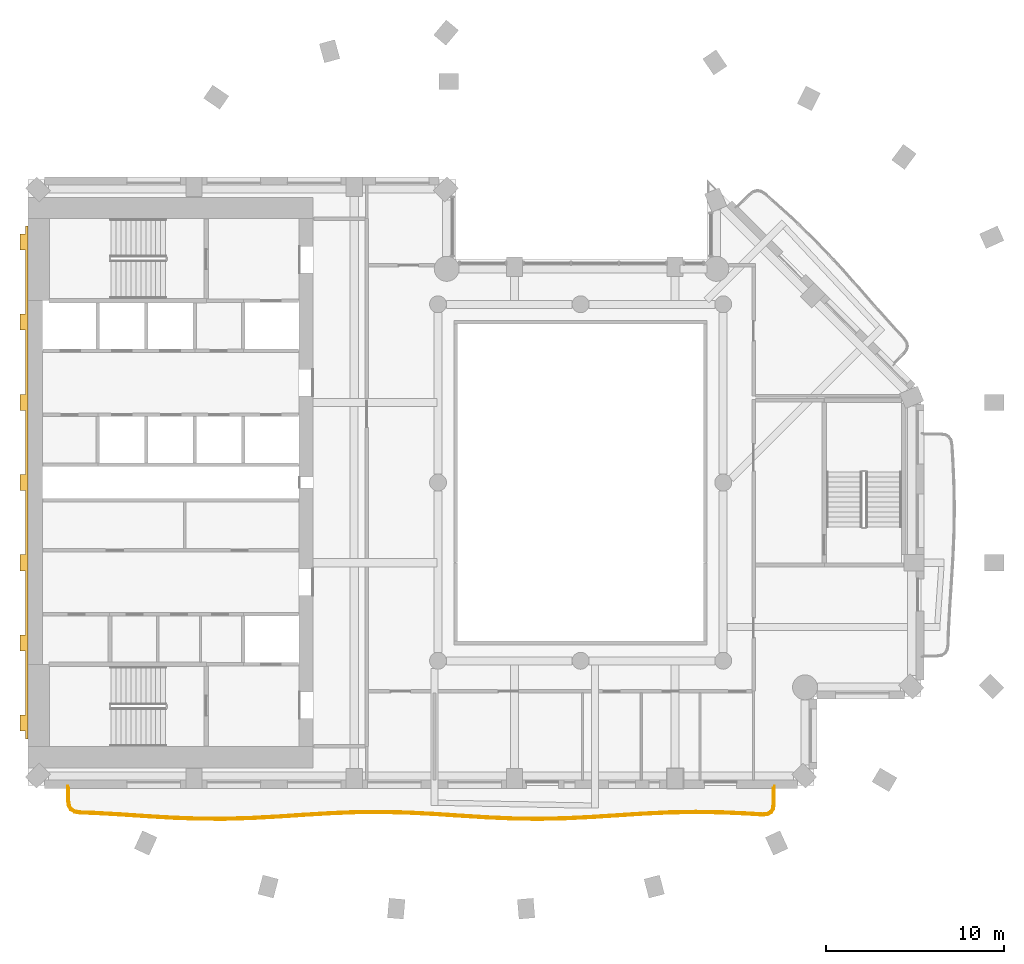
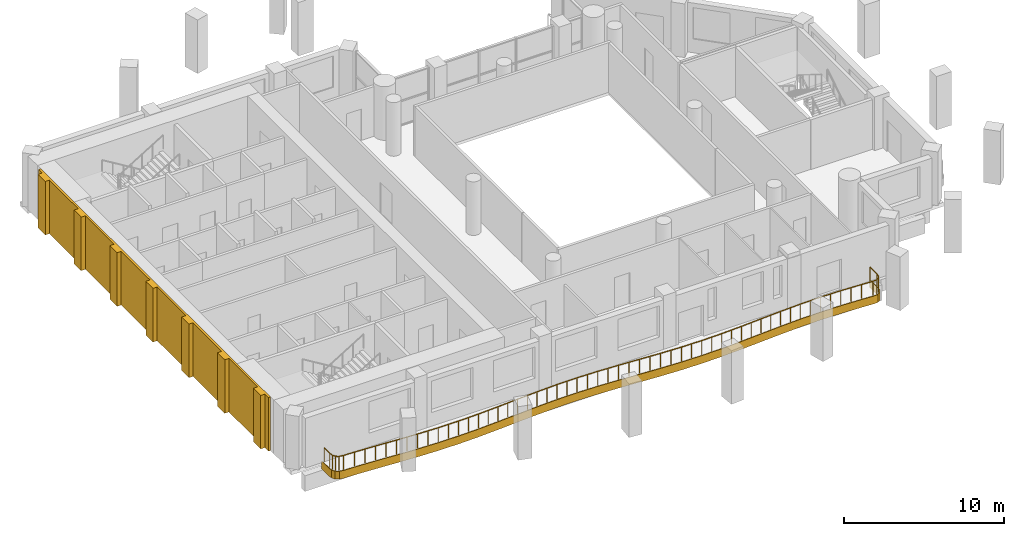
# One storey, part 10 of 13: 2 coverings, 1 railing.
"""IFC4 building model written with IfcOpenShell, lengths in metres."""

import ifcopenshell
import ifcopenshell.guid

model = None  # the IFC model being written
_history = None  # IfcOwnerHistory: only IFC2X3 demands one
_inside = {}  # id of a spatial element -> (the spatial element, [elements in it])
_under = {}  # id of a project, library or spatial element -> (it, [spatial elements below it])
_declared = {}  # id of a project -> (the project, [libraries it declares])
_typed = {}  # id of a type object -> (the type object, [elements of that type])
_made_of = {}  # id of a material, layer set ... -> (it, [elements and type objects made of it])


def new_model(schema):
    """Start an empty IFC model of exactly this schema.

    Asked for "IFC4X3", IfcOpenShell would pick the latest addendum, in which some entities
    have other attributes; the version numbers below select the first issue.
    IFC2X3 requires an IfcOwnerHistory on every rooted entity: one is made here for all.
    """
    global model, _history
    if schema == "IFC4X3":
        model = ifcopenshell.file(schema_version=(4, 3, 0, 0))
    else:
        model = ifcopenshell.file(schema=schema)
    _inside.clear()
    _under.clear()
    _declared.clear()
    _typed.clear()
    _made_of.clear()
    _history = None
    if model.schema == "IFC2X3":
        org = make("IfcOrganization", Name="unknown")
        user = make(
            "IfcPersonAndOrganization",
            ThePerson=make("IfcPerson", FamilyName="unknown"),
            TheOrganization=org,
        )
        app = make(
            "IfcApplication",
            ApplicationDeveloper=org,
            Version="unknown",
            ApplicationFullName="unknown",
            ApplicationIdentifier="unknown",
        )
        _history = make(
            "IfcOwnerHistory",
            OwningUser=user,
            OwningApplication=app,
            ChangeAction="ADDED",
            CreationDate=0,
        )
    return model


def make(cls, **values):
    """One entity of the class cls with the attributes given. An attribute that is None is left unset."""
    return model.create_entity(
        cls, **{name: value for name, value in values.items() if value is not None}
    )


def rooted(cls, **values):
    """An entity with a GlobalId (a new one), such as an element, a storey or a relation."""
    return make(cls, GlobalId=ifcopenshell.guid.new(), OwnerHistory=_history, **values)


def si_unit(unit_type, name, prefix=None):
    """IfcSIUnit, for example si_unit("LENGTHUNIT", "METRE", prefix="MILLI")."""
    return make("IfcSIUnit", UnitType=unit_type, Prefix=prefix, Name=name)


def assignment(units):
    """IfcUnitAssignment: the units of a project."""
    return None if units is None else make("IfcUnitAssignment", Units=units)


def point(xyz):
    """IfcCartesianPoint."""
    return None if xyz is None else make("IfcCartesianPoint", Coordinates=xyz)


def direction(xyz):
    """IfcDirection."""
    return None if xyz is None else make("IfcDirection", DirectionRatios=xyz)


def frame(location, z_axis=None, x_axis=None):
    """IfcAxis2Placement3D, a coordinate frame: its origin and axes. An axis left out is left unset."""
    return make(
        "IfcAxis2Placement3D",
        Location=point(location),
        Axis=direction(z_axis),
        RefDirection=direction(x_axis),
    )


def frame_2d(location, x_axis=None):
    """IfcAxis2Placement2D, a coordinate frame in the plane: its origin and x axis."""
    return make(
        "IfcAxis2Placement2D", Location=point(location), RefDirection=direction(x_axis)
    )


def origin():
    """The frame at (0, 0, 0) with its axes left unset."""
    return frame((0.0, 0.0, 0.0))


def origin_2d():
    """The frame at (0, 0) in the plane with its x axis left unset."""
    return frame_2d((0.0, 0.0))


def place(relative_to, where):
    """IfcLocalPlacement: puts the frame where relative to a parent placement (None: the world)."""
    return make(
        "IfcLocalPlacement", PlacementRelTo=relative_to, RelativePlacement=where
    )


def context(
    kind, dimensions, precision=None, world=None, true_north=None, identifier=None
):
    """IfcGeometricRepresentationContext, for example the 3D "Model" context."""
    return make(
        "IfcGeometricRepresentationContext",
        ContextIdentifier=identifier,
        ContextType=kind,
        CoordinateSpaceDimension=dimensions,
        Precision=precision,
        WorldCoordinateSystem=world,
        TrueNorth=true_north,
    )


def subcontext(parent, identifier, kind, view, scale=None):
    """IfcGeometricRepresentationSubContext, for example "Body" below "Model"."""
    return make(
        "IfcGeometricRepresentationSubContext",
        ContextIdentifier=identifier,
        ContextType=kind,
        ParentContext=parent,
        TargetScale=scale,
        TargetView=view,
    )


def project(units=None, contexts=None):
    """IfcProject with its units and contexts."""
    return rooted(
        "IfcProject",
        Name="project",
        RepresentationContexts=contexts,
        UnitsInContext=assignment(units),
    )


def spatial(cls, under=None, at=None, **own):
    """A site, building, storey or space (cls), placed at a placement, below another one or the project."""
    s = rooted(cls, ObjectPlacement=at, **own)
    if under is not None:
        _under.setdefault(under.id(), (under, []))[1].append(s)
    return s


def polyline(points):
    """IfcPolyline through the points."""
    return make("IfcPolyline", Points=[point(p) for p in points])


def profile(cls, at=None, kind="AREA", **sizes):
    """A parametric profile (cls). Its sizes go by their IFC names, for example OverallWidth=200.0."""
    return make(cls, ProfileType=kind, Position=at, **sizes)


def rectangle(**sizes):
    """IfcRectangleProfileDef."""
    return profile("IfcRectangleProfileDef", **sizes)


def outline(outer, holes=None, kind="AREA"):
    """IfcArbitraryClosedProfileDef: a profile drawn as a closed curve; with holes, ...WithVoids."""
    if holes is None:
        return make("IfcArbitraryClosedProfileDef", ProfileType=kind, OuterCurve=outer)
    return make(
        "IfcArbitraryProfileDefWithVoids",
        ProfileType=kind,
        OuterCurve=outer,
        InnerCurves=holes,
    )


def extrude(swept, where, along, depth):
    """IfcExtrudedAreaSolid: the profile swept, set in the frame where, extruded along a direction by depth."""
    return make(
        "IfcExtrudedAreaSolid",
        SweptArea=swept,
        Position=where,
        ExtrudedDirection=direction(along),
        Depth=depth,
    )


def shape(context_of_items, identifier, shape_type, items):
    """IfcShapeRepresentation: the items that make up one representation, for example the "Body"."""
    return make(
        "IfcShapeRepresentation",
        ContextOfItems=context_of_items,
        RepresentationIdentifier=identifier,
        RepresentationType=shape_type,
        Items=items,
    )


def material(Name=None, Category=None):
    """IfcMaterial."""
    return make("IfcMaterial", Name=Name, Category=Category)


def layer(
    of_material, thickness, ventilated=None, Name=None, Category=None, Priority=None
):
    """IfcMaterialLayer: one layer of a wall or slab, of a material (None: an air gap)."""
    return make(
        "IfcMaterialLayer",
        Material=of_material,
        LayerThickness=thickness,
        IsVentilated=ventilated,
        Name=Name,
        Category=Category,
        Priority=Priority,
    )


def layer_set(layers, Name=None):
    """IfcMaterialLayerSet."""
    return make("IfcMaterialLayerSet", MaterialLayers=layers, LayerSetName=Name)


def made_of(thing, what):
    """Note that an element or type object is made of a material, layer set ...; save() writes the relation."""
    if what is not None:
        _made_of.setdefault(what.id(), (what, []))[1].append(thing)
    return thing


def type_object(cls, material=None, **own):
    """A type object (cls), such as IfcWallType, which elements share."""
    return made_of(rooted(cls, **own), material)


def element(
    cls,
    number,
    at=None,
    inside=None,
    cuts=None,
    type_object=None,
    material=None,
    context=None,
    identifier="Body",
    shape_type=None,
    held_by="IfcProductDefinitionShape",
    body=None,
    shapes=None,
    **own,
):
    """One element of the class cls, such as IfcWall. Its Tag is "e" and its number.

    at: its placement. inside: the storey or other place that contains it. cuts: it is an
    opening in that element (IfcRelVoidsElement). A single representation is given by context,
    identifier, shape_type and body (its items); several are given by shapes. held_by: the class
    of the entity that holds the representations. save() writes the other relations.
    """
    e = rooted(cls, Tag="e%d" % number, ObjectPlacement=at, **own)
    if body is not None:
        shapes = [shape(context, identifier, shape_type, body)]
    if shapes is not None:
        e.Representation = make(held_by, Representations=shapes)
    if inside is not None:
        _inside.setdefault(inside.id(), (inside, []))[1].append(e)
    if cuts is not None:
        rooted(
            "IfcRelVoidsElement", RelatingBuildingElement=cuts, RelatedOpeningElement=e
        )
    if type_object is not None:
        _typed.setdefault(type_object.id(), (type_object, []))[1].append(e)
    return made_of(e, material)


def aggregate(whole, parts):
    """IfcRelAggregates: a whole, such as a stair, and the parts it consists of."""
    return rooted("IfcRelAggregates", RelatingObject=whole, RelatedObjects=parts)


def save(model, path):
    """Write the relations noted so far, then the file.

    IfcRelAggregates (storeys below a building ...), IfcRelContainedInSpatialStructure (elements
    in a storey), IfcRelDefinesByType, IfcRelAssociatesMaterial and IfcRelDeclares: one each for
    every whole, place, type object, material and project.
    """
    for whole, parts in _under.values():
        aggregate(whole, parts)
    for where, things in _inside.values():
        rooted(
            "IfcRelContainedInSpatialStructure",
            RelatedElements=things,
            RelatingStructure=where,
        )
    for kind, things in _typed.values():
        rooted("IfcRelDefinesByType", RelatedObjects=things, RelatingType=kind)
    for what, things in _made_of.values():
        rooted("IfcRelAssociatesMaterial", RelatedObjects=things, RelatingMaterial=what)
    for by, libraries in _declared.values():
        rooted("IfcRelDeclares", RelatingContext=by, RelatedDefinitions=libraries)
    model.write(path)


model = new_model("IFC4")

# Units and contexts
model_context = context("Model", 3, precision=1e-05, world=origin(), true_north=direction((0.0, 1.0)))
body_context = subcontext(model_context, "Body", "Model", "MODEL_VIEW")
ifc_project = project(units=[si_unit("LENGTHUNIT", "METRE"), si_unit("AREAUNIT", "SQUARE_METRE"), si_unit("VOLUMEUNIT", "CUBIC_METRE"), si_unit("PLANEANGLEUNIT", "RADIAN"), si_unit("MASSUNIT", "GRAM", prefix="KILO")], contexts=[model_context])

# Site, building, storey
site_placement = place(None, origin())
site = spatial("IfcSite", under=ifc_project, at=site_placement, CompositionType="ELEMENT")
building_placement = place(site_placement, origin())
building = spatial("IfcBuilding", under=site, at=building_placement, Name="Cypress Arch Tower", CompositionType="ELEMENT")
storey_placement = place(building_placement, frame((0.0, 0.0, 209.699951171875)))
storey = spatial("IfcBuildingStorey", under=building, at=storey_placement, Name="L46", CompositionType="ELEMENT", Elevation=209.699951171875)

# Covering
ifc_material_1 = material(Name="White powder-coated aluminium fascia", Category="aluminium")
ifc_layer_1 = layer(ifc_material_1, 0.050048828125)
ifc_layer_set_1 = layer_set([ifc_layer_1], Name="Balcony fascia BF50")
covering_type_1 = type_object("IfcCoveringType", Name="Balcony fascia BF50", PredefinedType="CLADDING", material=ifc_layer_set_1)
covering_1_placement = place(storey_placement, frame((0.0, 0.0, -0.599853515625)))
element("IfcCovering", 1, at=covering_1_placement, inside=storey, type_object=covering_type_1, Name="Balcony fascia L46-B01", PredefinedType="CLADDING", context=body_context, shape_type="SweptSolid", body=[
    extrude(outline(polyline([(11.89990234375, -18.025634765625), (11.856689453125, -18.326416015625), (11.720458984375, -18.54541015625), (11.4931640625, -18.66748046875), (11.1904296875, -18.691650390625), (10.380615234375, -18.639892578125), (8.9150390625, -18.5732421875), (7.449951171875, -18.550048828125), (5.98486328125, -18.576416015625), (4.51953125, -18.645751953125), (3.05322265625, -18.740234375), (1.586181640625, -18.83544921875), (0.118408203125, -18.9072265625), (-1.349853515625, -18.93701171875), (-2.818115234375, -18.917236328125), (-4.285888671875, -18.852783203125), (-5.753173828125, -18.760498046875), (-7.2197265625, -18.663818359375), (-8.685302734375, -18.587646484375), (-10.150390625, -18.551513671875), (-11.615478515625, -18.564453125), (-13.080810546875, -18.62353515625), (-14.546875, -18.713134765625), (-16.013671875, -18.810791015625), (-17.481201171875, -18.89111328125), (-18.949462890625, -18.93359375), (-20.417724609375, -18.927490234375), (-21.8857421875, -18.8740234375), (-23.35302734375, -18.787109375), (-24.81982421875, -18.68896484375), (-26.28564453125, -18.60498046875), (-27.09521484375, -18.578369140625), (-27.397216796875, -18.525146484375), (-27.6220703125, -18.3828125), (-27.7568359375, -18.1533203125), (-27.800048828125, -17.849853515625), (-27.800048828125, -17.0009765625), (-27.75, -17.0009765625), (-27.75, -17.84619140625), (-27.708740234375, -18.136474609375), (-27.5849609375, -18.346923828125), (-27.378662109375, -18.4775390625), (-27.090087890625, -18.5283203125), (-26.283447265625, -18.55517578125), (-24.816650390625, -18.63916015625), (-23.35009765625, -18.7373046875), (-21.88330078125, -18.823974609375), (-20.416748046875, -18.87744140625), (-18.949951171875, -18.8837890625), (-17.4833984375, -18.84130859375), (-16.0166015625, -18.760986328125), (-14.550048828125, -18.663330078125), (-13.083251953125, -18.573486328125), (-11.61669921875, -18.514404296875), (-10.14990234375, -18.50146484375), (-8.683349609375, -18.53759765625), (-7.216552734375, -18.61376953125), (-5.75, -18.71044921875), (-4.283447265625, -18.802734375), (-2.816650390625, -18.8671875), (-1.35009765625, -18.886962890625), (0.11669921875, -18.857177734375), (1.583251953125, -18.78564453125), (3.050048828125, -18.690185546875), (4.5166015625, -18.595947265625), (5.9833984375, -18.526611328125), (7.449951171875, -18.5), (8.916748046875, -18.523193359375), (10.38330078125, -18.590087890625), (11.18994140625, -18.641357421875), (11.478759765625, -18.618408203125), (11.68505859375, -18.507568359375), (11.808837890625, -18.308837890625), (11.85009765625, -18.022216796875), (11.85009765625, -17.0009765625), (11.89990234375, -17.0009765625), (11.89990234375, -18.025634765625)])), origin(), (0.0, 0.0, 1.0), 0.599853515625),
])

# Railing
ifc_material_2 = material(Name="Powder-coated steel posts and rods, 100 mm clear between rods", Category="steel")
railing_type = type_object("IfcRailingType", Name="Balcony guard GR1100", PredefinedType="GUARDRAIL", material=ifc_material_2)
railing_placement = place(storey_placement, frame((11.800048828125, -17.14990234375, 0.0)))
element("IfcRailing", 2, at=railing_placement, inside=storey, type_object=railing_type, Name="Balcony guard L46-B01", PredefinedType="GUARDRAIL", context=body_context, shape_type="SweptSolid", body=[
    extrude(rectangle(XDim=0.050048828125, YDim=0.050048828125, at=origin_2d()), frame((0.0, 0.0, 1.0751953125), z_axis=(0.0, -1.0, 0.0), x_axis=(1.0, 0.0, 0.0)), (0.0, 0.0, 1.0), 0.86865234375),
    extrude(rectangle(XDim=0.050048828125, YDim=0.050048828125, at=origin_2d()), frame((0.0, -0.86865234375, 1.0751953125), z_axis=(-0.142661782436, -0.989771496777, 0.0), x_axis=(0.989771496777, -0.142661782436, 0.0)), (0.0, 0.0, 1.0), 0.275634765625),
    extrude(rectangle(XDim=0.050048828125, YDim=0.050048828125, at=origin_2d()), frame((-0.039306640625, -1.141357421875, 1.0751953125), z_axis=(-0.527911502884, -0.84929938486, 0.0), x_axis=(0.84929938486, -0.527911502884, 0.0)), (0.0, 0.0, 1.0), 0.21044921875),
    extrude(rectangle(XDim=0.050048828125, YDim=0.050048828125, at=origin_2d()), frame((-0.150390625, -1.320068359375, 1.0751953125), z_axis=(-0.880806248442, -0.473476876633, 0.0), x_axis=(0.473476876633, -0.880806248442, 0.0)), (0.0, 0.0, 1.0), 0.21044921875),
    extrude(rectangle(XDim=0.050048828125, YDim=0.050048828125, at=origin_2d()), frame((-0.335693359375, -1.419677734375, 1.0751953125), z_axis=(-0.996885328485, -0.078864705987, 0.0), x_axis=(0.078864705987, -0.996885328485, 0.0)), (0.0, 0.0, 1.0), 0.275634765625),
    extrude(rectangle(XDim=0.050048828125, YDim=0.050048828125, at=origin_2d()), frame((-0.6103515625, -1.44140625, 1.0751953125), z_axis=(-0.997971542313, 0.063661611144, 0.0), x_axis=(-0.063661611144, -0.997971542313, 0.0)), (0.0, 0.0, 1.0), 0.805419921875),
    extrude(rectangle(XDim=0.050048828125, YDim=0.050048828125, at=origin_2d()), frame((-1.4140625, -1.39013671875, 1.0751953125), z_axis=(-0.998963051314, 0.045528256164, 0.0), x_axis=(-0.045528256164, -0.998963051314, 0.0)), (0.0, 0.0, 1.0), 1.46923828125),
    extrude(rectangle(XDim=0.050048828125, YDim=0.050048828125, at=origin_2d()), frame((-2.8818359375, -1.3232421875, 1.0751953125), z_axis=(-0.999875259035, 0.015794504424, 0.0), x_axis=(-0.015794504424, -0.999875259035, 0.0)), (0.0, 0.0, 1.0), 1.468505859375),
    extrude(rectangle(XDim=0.050048828125, YDim=0.050048828125, at=origin_2d()), frame((-4.35009765625, -1.300048828125, 1.0751953125), z_axis=(-0.999835793943, -0.018121400323, 0.0), x_axis=(0.018121400323, -0.999835793943, 0.0)), (0.0, 0.0, 1.0), 1.468505859375),
    extrude(rectangle(XDim=0.050048828125, YDim=0.050048828125, at=origin_2d()), frame((-5.818359375, -1.32666015625, 1.0751953125), z_axis=(-0.998886109157, -0.047186236693, 0.0), x_axis=(0.047186236693, -0.998886109157, 0.0)), (0.0, 0.0, 1.0), 1.469482421875),
    extrude(rectangle(XDim=0.050048828125, YDim=0.050048828125, at=origin_2d()), frame((-7.2861328125, -1.39599609375, 1.0751953125), z_axis=(-0.997932530726, -0.064270242868, 0.0), x_axis=(0.064270242868, -0.997932530726, 0.0)), (0.0, 0.0, 1.0), 1.469970703125),
    extrude(rectangle(XDim=0.050048828125, YDim=0.050048828125, at=origin_2d()), frame((-8.753173828125, -1.490478515625, 1.0751953125), z_axis=(-0.997898362605, -0.064798594974, 0.0), x_axis=(0.064798594974, -0.997898362605, 0.0)), (0.0, 0.0, 1.0), 1.469482421875),
    extrude(rectangle(XDim=0.050048828125, YDim=0.050048828125, at=origin_2d()), frame((-10.219482421875, -1.585693359375, 1.0751953125), z_axis=(-0.998802852779, -0.048916881345, 0.0), x_axis=(0.048916881345, -0.998802852779, 0.0)), (0.0, 0.0, 1.0), 1.46728515625),
    extrude(rectangle(XDim=0.050048828125, YDim=0.050048828125, at=origin_2d()), frame((-11.68505859375, -1.657470703125, 1.0751953125), z_axis=(-0.999796782506, -0.020159208579, 0.0), x_axis=(0.020159208579, -0.999796782506, 0.0)), (0.0, 0.0, 1.0), 1.46533203125),
    extrude(rectangle(XDim=0.050048828125, YDim=0.050048828125, at=origin_2d()), frame((-13.150146484375, -1.68701171875, 1.0751953125), z_axis=(-0.999908917813, 0.01349652097, 0.0), x_axis=(-0.01349652097, -0.999908917813, 0.0)), (0.0, 0.0, 1.0), 1.46533203125),
    extrude(rectangle(XDim=0.050048828125, YDim=0.050048828125, at=origin_2d()), frame((-14.615234375, -1.667236328125, 1.0751953125), z_axis=(-0.999041658794, 0.043769441323, 0.0), x_axis=(-0.043769441323, -0.999041658794, 0.0)), (0.0, 0.0, 1.0), 1.467041015625),
    extrude(rectangle(XDim=0.050048828125, YDim=0.050048828125, at=origin_2d()), frame((-16.080810546875, -1.60302734375, 1.0751953125), z_axis=(-0.998024671706, 0.062823201649, 0.0), x_axis=(-0.062823201649, -0.998024671706, 0.0)), (0.0, 0.0, 1.0), 1.468994140625),
    extrude(rectangle(XDim=0.050048828125, YDim=0.050048828125, at=origin_2d()), frame((-17.546875, -1.5107421875, 1.0751953125), z_axis=(-0.997834848581, 0.065769407463, 0.0), x_axis=(-0.065769407463, -0.997834848581, 0.0)), (0.0, 0.0, 1.0), 1.469970703125),
    extrude(rectangle(XDim=0.050048828125, YDim=0.050048828125, at=origin_2d()), frame((-19.013671875, -1.4140625, 1.0751953125), z_axis=(-0.998656105759, 0.05182646457, 0.0), x_axis=(-0.05182646457, -0.998656105759, 0.0)), (0.0, 0.0, 1.0), 1.4697265625),
    extrude(rectangle(XDim=0.050048828125, YDim=0.050048828125, at=origin_2d()), frame((-20.4814453125, -1.337890625, 1.0751953125), z_axis=(-0.999693227932, 0.024767923339, 0.0), x_axis=(-0.024767923339, -0.999693227932, 0.0)), (0.0, 0.0, 1.0), 1.46875),
    extrude(rectangle(XDim=0.050048828125, YDim=0.050048828125, at=origin_2d()), frame((-21.94970703125, -1.301513671875, 1.0751953125), z_axis=(-0.999959690778, -0.008978686947, 0.0), x_axis=(0.008978686947, -0.999959690778, 0.0)), (0.0, 0.0, 1.0), 1.46826171875),
    extrude(rectangle(XDim=0.050048828125, YDim=0.050048828125, at=origin_2d()), frame((-23.41796875, -1.314697265625, 1.0751953125), z_axis=(-0.999191106896, -0.040213578558, 0.0), x_axis=(0.040213578558, -0.999191106896, 0.0)), (0.0, 0.0, 1.0), 1.46923828125),
    extrude(rectangle(XDim=0.050048828125, YDim=0.050048828125, at=origin_2d()), frame((-24.885986328125, -1.373779296875, 1.0751953125), z_axis=(-0.998130620069, -0.06111681667, 0.0), x_axis=(0.06111681667, -0.998130620069, 0.0)), (0.0, 0.0, 1.0), 1.469970703125),
    extrude(rectangle(XDim=0.050048828125, YDim=0.050048828125, at=origin_2d()), frame((-26.353271484375, -1.463623046875, 1.0751953125), z_axis=(-0.997801298029, -0.066276463778, 0.0), x_axis=(0.066276463778, -0.997801298029, 0.0)), (0.0, 0.0, 1.0), 1.4697265625),
    extrude(rectangle(XDim=0.050048828125, YDim=0.050048828125, at=origin_2d()), frame((-27.81982421875, -1.56103515625, 1.0751953125), z_axis=(-0.998501529859, -0.054723805318, 0.0), x_axis=(0.054723805318, -0.998501529859, 0.0)), (0.0, 0.0, 1.0), 1.4677734375),
    extrude(rectangle(XDim=0.050048828125, YDim=0.050048828125, at=origin_2d()), frame((-29.285400390625, -1.641357421875, 1.0751953125), z_axis=(-0.999580044885, -0.028978161914, 0.0), x_axis=(0.028978161914, -0.999580044885, 0.0)), (0.0, 0.0, 1.0), 1.466064453125),
    extrude(rectangle(XDim=0.050048828125, YDim=0.050048828125, at=origin_2d()), frame((-30.750732421875, -1.683837890625, 1.0751953125), z_axis=(-0.999990614372, 0.004332570567, 0.0), x_axis=(-0.004332570567, -0.999990614372, 0.0)), (0.0, 0.0, 1.0), 1.465087890625),
    extrude(rectangle(XDim=0.050048828125, YDim=0.050048828125, at=origin_2d()), frame((-32.2158203125, -1.677490234375, 1.0751953125), z_axis=(-0.999340816765, 0.036303332454, 0.0), x_axis=(-0.036303332454, -0.999340816765, 0.0)), (0.0, 0.0, 1.0), 1.466064453125),
    extrude(rectangle(XDim=0.050048828125, YDim=0.050048828125, at=origin_2d()), frame((-33.680908203125, -1.624267578125, 1.0751953125), z_axis=(-0.998247326407, 0.05918002468, 0.0), x_axis=(-0.05918002468, -0.998247326407, 0.0)), (0.0, 0.0, 1.0), 1.46875),
    extrude(rectangle(XDim=0.050048828125, YDim=0.050048828125, at=origin_2d()), frame((-35.14697265625, -1.537353515625, 1.0751953125), z_axis=(-0.997779274215, 0.066607206419, 0.0), x_axis=(-0.066607206419, -0.997779274215, 0.0)), (0.0, 0.0, 1.0), 1.4697265625),
    extrude(rectangle(XDim=0.050048828125, YDim=0.050048828125, at=origin_2d()), frame((-36.613525390625, -1.439453125, 1.0751953125), z_axis=(-0.998356978001, 0.057300475364, 0.0), x_axis=(-0.057300475364, -0.998356978001, 0.0)), (0.0, 0.0, 1.0), 1.469970703125),
    extrude(rectangle(XDim=0.050048828125, YDim=0.050048828125, at=origin_2d()), frame((-38.0810546875, -1.355224609375, 1.0751953125), z_axis=(-0.999452295341, 0.033092436267, 0.0), x_axis=(-0.033092436267, -0.999452295341, 0.0)), (0.0, 0.0, 1.0), 0.80419921875),
    extrude(rectangle(XDim=0.050048828125, YDim=0.050048828125, at=origin_2d()), frame((-38.884765625, -1.32861328125, 1.0751953125), z_axis=(-0.984967442977, 0.172740083002, 0.0), x_axis=(-0.172740083002, -0.984967442977, 0.0)), (0.0, 0.0, 1.0), 0.27978515625),
    extrude(rectangle(XDim=0.050048828125, YDim=0.050048828125, at=origin_2d()), frame((-39.160400390625, -1.2802734375, 1.0751953125), z_axis=(-0.844835628443, 0.53502594415, 0.0), x_axis=(-0.53502594415, -0.844835628443, 0.0)), (0.0, 0.0, 1.0), 0.22216796875),
    extrude(rectangle(XDim=0.050048828125, YDim=0.050048828125, at=origin_2d()), frame((-39.34814453125, -1.161376953125, 1.0751953125), z_axis=(-0.506395925616, 0.862301088089, 0.0), x_axis=(-0.862301088089, -0.506395925616, 0.0)), (0.0, 0.0, 1.0), 0.22216796875),
    extrude(rectangle(XDim=0.050048828125, YDim=0.050048828125, at=origin_2d()), frame((-39.460693359375, -0.9697265625, 1.0751953125), z_axis=(-0.140565686195, 0.990071354936, 0.0), x_axis=(-0.990071354936, -0.140565686195, 0.0)), (0.0, 0.0, 1.0), 0.279541015625),
    extrude(rectangle(XDim=0.050048828125, YDim=0.050048828125, at=origin_2d()), frame((-39.5, -0.69287109375, 1.0751953125), z_axis=(0.0, 1.0, 0.0), x_axis=(-1.0, 0.0, 0.0)), (0.0, 0.0, 1.0), 0.69287109375),
    extrude(rectangle(XDim=0.0400390625, YDim=0.0400390625, at=origin_2d()), origin(), (0.0, 0.0, 1.0), 1.050048828125),
    extrude(rectangle(XDim=0.0400390625, YDim=0.0400390625, at=origin_2d()), frame((0.0, -0.86865234375, 0.0)), (0.0, 0.0, 1.0), 1.050048828125),
    extrude(rectangle(XDim=0.0400390625, YDim=0.0400390625, at=origin_2d()), frame((-0.039306640625, -1.141357421875, 0.0)), (0.0, 0.0, 1.0), 1.050048828125),
    extrude(rectangle(XDim=0.0400390625, YDim=0.0400390625, at=origin_2d()), frame((-0.150390625, -1.320068359375, 0.0)), (0.0, 0.0, 1.0), 1.050048828125),
    extrude(rectangle(XDim=0.0400390625, YDim=0.0400390625, at=origin_2d()), frame((-0.335693359375, -1.419677734375, 0.0)), (0.0, 0.0, 1.0), 1.050048828125),
    extrude(rectangle(XDim=0.0400390625, YDim=0.0400390625, at=origin_2d()), frame((-0.6103515625, -1.44140625, 0.0)), (0.0, 0.0, 1.0), 1.050048828125),
    extrude(rectangle(XDim=0.0400390625, YDim=0.0400390625, at=origin_2d()), frame((-1.4140625, -1.39013671875, 0.0)), (0.0, 0.0, 1.0), 1.050048828125),
    extrude(rectangle(XDim=0.0400390625, YDim=0.0400390625, at=origin_2d()), frame((-2.14794921875, -1.356689453125, 0.0)), (0.0, 0.0, 1.0), 1.050048828125),
    extrude(rectangle(XDim=0.0400390625, YDim=0.0400390625, at=origin_2d()), frame((-2.8818359375, -1.3232421875, 0.0)), (0.0, 0.0, 1.0), 1.050048828125),
    extrude(rectangle(XDim=0.0400390625, YDim=0.0400390625, at=origin_2d()), frame((-3.615966796875, -1.3115234375, 0.0)), (0.0, 0.0, 1.0), 1.050048828125),
    extrude(rectangle(XDim=0.0400390625, YDim=0.0400390625, at=origin_2d()), frame((-4.35009765625, -1.300048828125, 0.0)), (0.0, 0.0, 1.0), 1.050048828125),
    extrude(rectangle(XDim=0.0400390625, YDim=0.0400390625, at=origin_2d()), frame((-5.084228515625, -1.3134765625, 0.0)), (0.0, 0.0, 1.0), 1.050048828125),
    extrude(rectangle(XDim=0.0400390625, YDim=0.0400390625, at=origin_2d()), frame((-5.818359375, -1.32666015625, 0.0)), (0.0, 0.0, 1.0), 1.050048828125),
    extrude(rectangle(XDim=0.0400390625, YDim=0.0400390625, at=origin_2d()), frame((-6.55224609375, -1.361328125, 0.0)), (0.0, 0.0, 1.0), 1.050048828125),
    extrude(rectangle(XDim=0.0400390625, YDim=0.0400390625, at=origin_2d()), frame((-7.2861328125, -1.39599609375, 0.0)), (0.0, 0.0, 1.0), 1.050048828125),
    extrude(rectangle(XDim=0.0400390625, YDim=0.0400390625, at=origin_2d()), frame((-8.01953125, -1.443359375, 0.0)), (0.0, 0.0, 1.0), 1.050048828125),
    extrude(rectangle(XDim=0.0400390625, YDim=0.0400390625, at=origin_2d()), frame((-8.753173828125, -1.490478515625, 0.0)), (0.0, 0.0, 1.0), 1.050048828125),
    extrude(rectangle(XDim=0.0400390625, YDim=0.0400390625, at=origin_2d()), frame((-9.486328125, -1.5380859375, 0.0)), (0.0, 0.0, 1.0), 1.050048828125),
    extrude(rectangle(XDim=0.0400390625, YDim=0.0400390625, at=origin_2d()), frame((-10.219482421875, -1.585693359375, 0.0)), (0.0, 0.0, 1.0), 1.050048828125),
    extrude(rectangle(XDim=0.0400390625, YDim=0.0400390625, at=origin_2d()), frame((-10.9521484375, -1.62158203125, 0.0)), (0.0, 0.0, 1.0), 1.050048828125),
    extrude(rectangle(XDim=0.0400390625, YDim=0.0400390625, at=origin_2d()), frame((-11.68505859375, -1.657470703125, 0.0)), (0.0, 0.0, 1.0), 1.050048828125),
    extrude(rectangle(XDim=0.0400390625, YDim=0.0400390625, at=origin_2d()), frame((-12.41748046875, -1.67236328125, 0.0)), (0.0, 0.0, 1.0), 1.050048828125),
    extrude(rectangle(XDim=0.0400390625, YDim=0.0400390625, at=origin_2d()), frame((-13.150146484375, -1.68701171875, 0.0)), (0.0, 0.0, 1.0), 1.050048828125),
    extrude(rectangle(XDim=0.0400390625, YDim=0.0400390625, at=origin_2d()), frame((-13.8828125, -1.67724609375, 0.0)), (0.0, 0.0, 1.0), 1.050048828125),
    extrude(rectangle(XDim=0.0400390625, YDim=0.0400390625, at=origin_2d()), frame((-14.615234375, -1.667236328125, 0.0)), (0.0, 0.0, 1.0), 1.050048828125),
    extrude(rectangle(XDim=0.0400390625, YDim=0.0400390625, at=origin_2d()), frame((-15.34814453125, -1.63525390625, 0.0)), (0.0, 0.0, 1.0), 1.050048828125),
    extrude(rectangle(XDim=0.0400390625, YDim=0.0400390625, at=origin_2d()), frame((-16.080810546875, -1.60302734375, 0.0)), (0.0, 0.0, 1.0), 1.050048828125),
    extrude(rectangle(XDim=0.0400390625, YDim=0.0400390625, at=origin_2d()), frame((-16.81396484375, -1.556884765625, 0.0)), (0.0, 0.0, 1.0), 1.050048828125),
    extrude(rectangle(XDim=0.0400390625, YDim=0.0400390625, at=origin_2d()), frame((-17.546875, -1.5107421875, 0.0)), (0.0, 0.0, 1.0), 1.050048828125),
    extrude(rectangle(XDim=0.0400390625, YDim=0.0400390625, at=origin_2d()), frame((-18.2802734375, -1.46240234375, 0.0)), (0.0, 0.0, 1.0), 1.050048828125),
    extrude(rectangle(XDim=0.0400390625, YDim=0.0400390625, at=origin_2d()), frame((-19.013671875, -1.4140625, 0.0)), (0.0, 0.0, 1.0), 1.050048828125),
    extrude(rectangle(XDim=0.0400390625, YDim=0.0400390625, at=origin_2d()), frame((-19.74755859375, -1.3759765625, 0.0)), (0.0, 0.0, 1.0), 1.050048828125),
    extrude(rectangle(XDim=0.0400390625, YDim=0.0400390625, at=origin_2d()), frame((-20.4814453125, -1.337890625, 0.0)), (0.0, 0.0, 1.0), 1.050048828125),
    extrude(rectangle(XDim=0.0400390625, YDim=0.0400390625, at=origin_2d()), frame((-21.215576171875, -1.31982421875, 0.0)), (0.0, 0.0, 1.0), 1.050048828125),
    extrude(rectangle(XDim=0.0400390625, YDim=0.0400390625, at=origin_2d()), frame((-21.94970703125, -1.301513671875, 0.0)), (0.0, 0.0, 1.0), 1.050048828125),
    extrude(rectangle(XDim=0.0400390625, YDim=0.0400390625, at=origin_2d()), frame((-22.683837890625, -1.30810546875, 0.0)), (0.0, 0.0, 1.0), 1.050048828125),
    extrude(rectangle(XDim=0.0400390625, YDim=0.0400390625, at=origin_2d()), frame((-23.41796875, -1.314697265625, 0.0)), (0.0, 0.0, 1.0), 1.050048828125),
    extrude(rectangle(XDim=0.0400390625, YDim=0.0400390625, at=origin_2d()), frame((-24.15185546875, -1.34423828125, 0.0)), (0.0, 0.0, 1.0), 1.050048828125),
    extrude(rectangle(XDim=0.0400390625, YDim=0.0400390625, at=origin_2d()), frame((-24.885986328125, -1.373779296875, 0.0)), (0.0, 0.0, 1.0), 1.050048828125),
    extrude(rectangle(XDim=0.0400390625, YDim=0.0400390625, at=origin_2d()), frame((-25.61962890625, -1.418701171875, 0.0)), (0.0, 0.0, 1.0), 1.050048828125),
    extrude(rectangle(XDim=0.0400390625, YDim=0.0400390625, at=origin_2d()), frame((-26.353271484375, -1.463623046875, 0.0)), (0.0, 0.0, 1.0), 1.050048828125),
    extrude(rectangle(XDim=0.0400390625, YDim=0.0400390625, at=origin_2d()), frame((-27.08642578125, -1.51220703125, 0.0)), (0.0, 0.0, 1.0), 1.050048828125),
    extrude(rectangle(XDim=0.0400390625, YDim=0.0400390625, at=origin_2d()), frame((-27.81982421875, -1.56103515625, 0.0)), (0.0, 0.0, 1.0), 1.050048828125),
    extrude(rectangle(XDim=0.0400390625, YDim=0.0400390625, at=origin_2d()), frame((-28.552734375, -1.60107421875, 0.0)), (0.0, 0.0, 1.0), 1.050048828125),
    extrude(rectangle(XDim=0.0400390625, YDim=0.0400390625, at=origin_2d()), frame((-29.285400390625, -1.641357421875, 0.0)), (0.0, 0.0, 1.0), 1.050048828125),
    extrude(rectangle(XDim=0.0400390625, YDim=0.0400390625, at=origin_2d()), frame((-30.01806640625, -1.66259765625, 0.0)), (0.0, 0.0, 1.0), 1.050048828125),
    extrude(rectangle(XDim=0.0400390625, YDim=0.0400390625, at=origin_2d()), frame((-30.750732421875, -1.683837890625, 0.0)), (0.0, 0.0, 1.0), 1.050048828125),
    extrude(rectangle(XDim=0.0400390625, YDim=0.0400390625, at=origin_2d()), frame((-31.4833984375, -1.6806640625, 0.0)), (0.0, 0.0, 1.0), 1.050048828125),
    extrude(rectangle(XDim=0.0400390625, YDim=0.0400390625, at=origin_2d()), frame((-32.2158203125, -1.677490234375, 0.0)), (0.0, 0.0, 1.0), 1.050048828125),
    extrude(rectangle(XDim=0.0400390625, YDim=0.0400390625, at=origin_2d()), frame((-32.9482421875, -1.65087890625, 0.0)), (0.0, 0.0, 1.0), 1.050048828125),
    extrude(rectangle(XDim=0.0400390625, YDim=0.0400390625, at=origin_2d()), frame((-33.680908203125, -1.624267578125, 0.0)), (0.0, 0.0, 1.0), 1.050048828125),
    extrude(rectangle(XDim=0.0400390625, YDim=0.0400390625, at=origin_2d()), frame((-34.4140625, -1.580810546875, 0.0)), (0.0, 0.0, 1.0), 1.050048828125),
    extrude(rectangle(XDim=0.0400390625, YDim=0.0400390625, at=origin_2d()), frame((-35.14697265625, -1.537353515625, 0.0)), (0.0, 0.0, 1.0), 1.050048828125),
    extrude(rectangle(XDim=0.0400390625, YDim=0.0400390625, at=origin_2d()), frame((-35.88037109375, -1.48828125, 0.0)), (0.0, 0.0, 1.0), 1.050048828125),
    extrude(rectangle(XDim=0.0400390625, YDim=0.0400390625, at=origin_2d()), frame((-36.613525390625, -1.439453125, 0.0)), (0.0, 0.0, 1.0), 1.050048828125),
    extrude(rectangle(XDim=0.0400390625, YDim=0.0400390625, at=origin_2d()), frame((-37.34716796875, -1.3974609375, 0.0)), (0.0, 0.0, 1.0), 1.050048828125),
    extrude(rectangle(XDim=0.0400390625, YDim=0.0400390625, at=origin_2d()), frame((-38.0810546875, -1.355224609375, 0.0)), (0.0, 0.0, 1.0), 1.050048828125),
    extrude(rectangle(XDim=0.0400390625, YDim=0.0400390625, at=origin_2d()), frame((-38.884765625, -1.32861328125, 0.0)), (0.0, 0.0, 1.0), 1.050048828125),
    extrude(rectangle(XDim=0.0400390625, YDim=0.0400390625, at=origin_2d()), frame((-39.160400390625, -1.2802734375, 0.0)), (0.0, 0.0, 1.0), 1.050048828125),
    extrude(rectangle(XDim=0.0400390625, YDim=0.0400390625, at=origin_2d()), frame((-39.34814453125, -1.161376953125, 0.0)), (0.0, 0.0, 1.0), 1.050048828125),
    extrude(rectangle(XDim=0.0400390625, YDim=0.0400390625, at=origin_2d()), frame((-39.460693359375, -0.9697265625, 0.0)), (0.0, 0.0, 1.0), 1.050048828125),
    extrude(rectangle(XDim=0.0400390625, YDim=0.0400390625, at=origin_2d()), frame((-39.5, -0.69287109375, 0.0)), (0.0, 0.0, 1.0), 1.050048828125),
    extrude(rectangle(XDim=0.0400390625, YDim=0.0400390625, at=origin_2d()), frame((-39.5, 0.0, 0.0)), (0.0, 0.0, 1.0), 1.050048828125),
])

# Covering
ifc_material_3 = material(Name="Brick (red buff blend)", Category="masonry")
ifc_layer_2 = layer(ifc_material_3, 0.449951171875)
ifc_layer_set_2 = layer_set([ifc_layer_2], Name="West face brick piers WP450")
covering_type_2 = type_object("IfcCoveringType", Name="West face brick piers WP450", PredefinedType="CLADDING", material=ifc_layer_set_2)
covering_2_placement = place(storey_placement, origin())
element("IfcCovering", 3, at=covering_2_placement, inside=storey, type_object=covering_type_2, Name="West face brick piers L46", PredefinedType="CLADDING", context=body_context, shape_type="SweptSolid", body=[
    extrude(outline(polyline([(-30.14990234375, -13.050048828125), (-30.14990234375, -9.449951171875), (-30.449951171875, -9.449951171875), (-30.449951171875, -8.550048828125), (-30.14990234375, -8.550048828125), (-30.14990234375, -4.949951171875), (-30.449951171875, -4.949951171875), (-30.449951171875, -4.050048828125), (-30.14990234375, -4.050048828125), (-30.14990234375, -0.449951171875), (-30.449951171875, -0.449951171875), (-30.449951171875, 0.449951171875), (-30.14990234375, 0.449951171875), (-30.14990234375, 4.050048828125), (-30.449951171875, 4.050048828125), (-30.449951171875, 4.949951171875), (-30.14990234375, 4.949951171875), (-30.14990234375, 8.550048828125), (-30.449951171875, 8.550048828125), (-30.449951171875, 9.449951171875), (-30.14990234375, 9.449951171875), (-30.14990234375, 13.050048828125), (-30.449951171875, 13.050048828125), (-30.449951171875, 13.949951171875), (-30.14990234375, 13.949951171875), (-30.14990234375, 14.39990234375), (-30.0, 14.39990234375), (-30.0, -14.39990234375), (-30.14990234375, -14.39990234375), (-30.14990234375, -13.949951171875), (-30.449951171875, -13.949951171875), (-30.449951171875, -13.050048828125), (-30.14990234375, -13.050048828125)])), origin(), (0.0, 0.0, 1.0), 4.10009765625),
])

save(model, "model.ifc")
